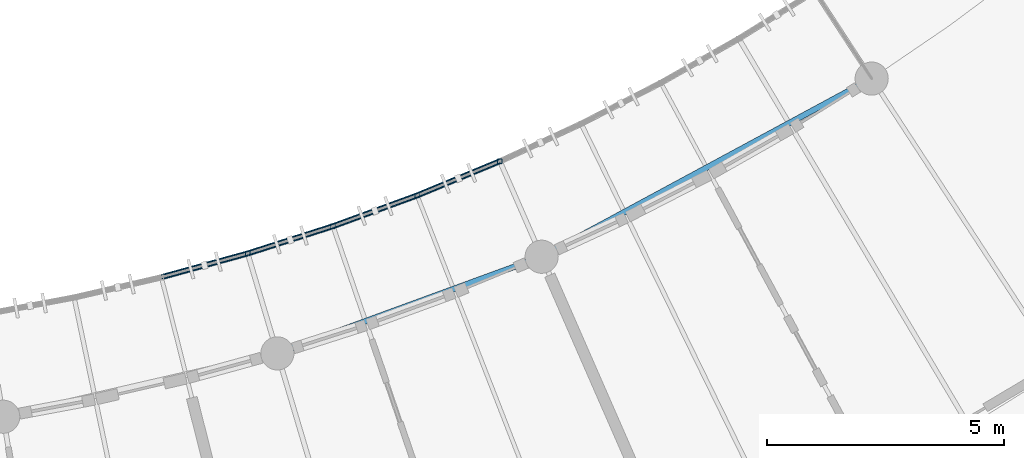
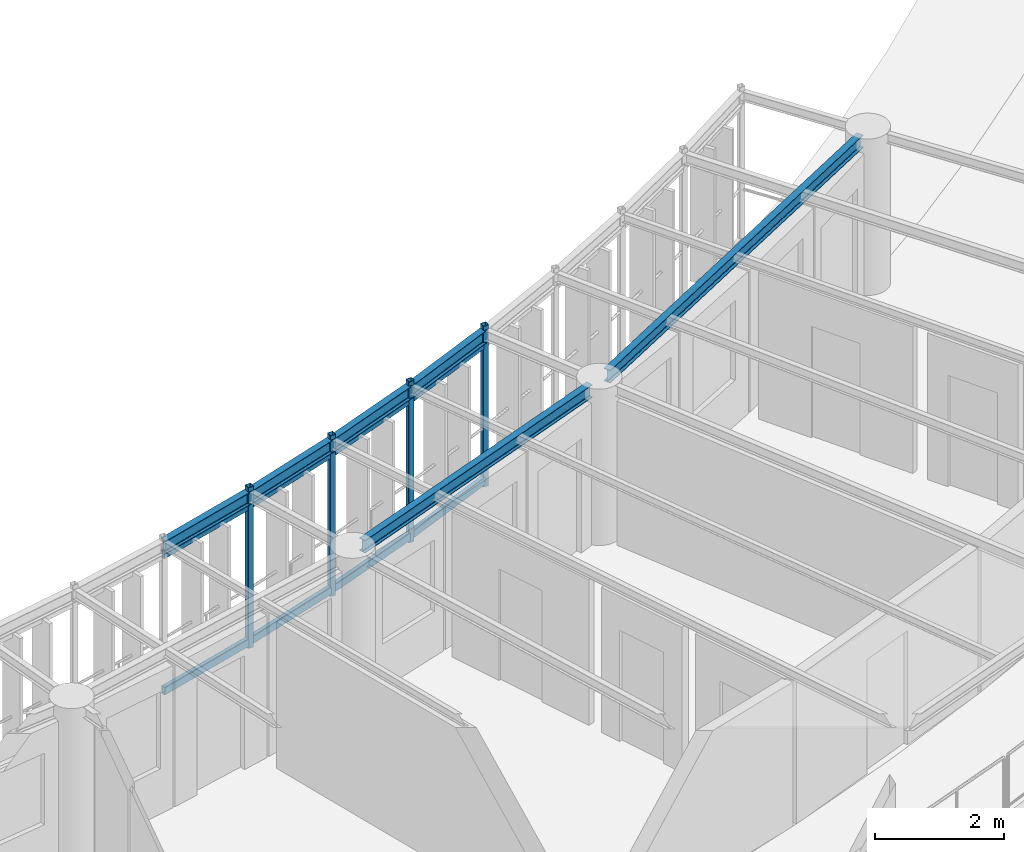
# One storey, part 31 of 137: 12 members, 6 beams.
"""IFC4 building model written with IfcOpenShell, lengths in metres."""

from ifc_helpers import new_model, si_unit, direction, frame, origin, origin_2d, place, context, subcontext, project, spatial, hollow_rectangle, i_section, extrude, material, material_profile, profile_set, type_object, element, save


model = new_model("IFC4")

# Units and contexts
model_context = context("Model", 3, precision=1e-05, world=origin(), true_north=direction((0.0, 1.0)))
body_context = subcontext(model_context, "Body", "Model", "MODEL_VIEW")
ifc_project = project(units=[si_unit("LENGTHUNIT", "METRE"), si_unit("AREAUNIT", "SQUARE_METRE"), si_unit("VOLUMEUNIT", "CUBIC_METRE"), si_unit("PLANEANGLEUNIT", "RADIAN"), si_unit("MASSUNIT", "GRAM", prefix="KILO"), si_unit("POWERUNIT", "WATT"), si_unit("THERMODYNAMICTEMPERATUREUNIT", "KELVIN")], contexts=[model_context])

# Site, building, storey
site_placement = place(None, origin())
site = spatial("IfcSite", under=ifc_project, at=site_placement, CompositionType="ELEMENT")
building_placement = place(site_placement, origin())
building = spatial("IfcBuilding", under=site, at=building_placement, Name="Ruvembo Vaulted Housing Court", CompositionType="ELEMENT")
storey_placement = place(building_placement, frame((0.0, 0.0, 4.5)))
storey = spatial("IfcBuildingStorey", under=building, at=storey_placement, Name="L01", CompositionType="ELEMENT", Elevation=4.5)

# Beams
ifc_material = material(Name="Steel S355J2", Category="steel")
ifc_material_profile_1 = material_profile(ifc_material, i_section(OverallWidth=0.1201171875, OverallDepth=0.239990234375, WebThickness=0.006103515625, FlangeThickness=0.009765625, FilletRadius=0.014892578125, at=origin_2d()), Name="IPE 240")
ifc_profile_set_1 = profile_set([ifc_material_profile_1], Name="Steel S355J2")
beam_type = type_object("IfcBeamType", Name="BM-ST-IPE240", PredefinedType="BEAM", material=ifc_profile_set_1)
beam_1_placement = place(storey_placement, frame((82.88525390625, 16.06640625, 2.822021484375), z_axis=(0.939148809828, 0.343510571888, 0.0), x_axis=(-0.343510571888, 0.939148809828, 0.0)))
element("IfcBeam", 1, at=beam_1_placement, inside=storey, type_object=beam_type, Name="Scoop SC2 L01 Chord Girder F21", PredefinedType="BEAM", context=body_context, shape_type="SweptSolid", body=[
    extrude(i_section(OverallWidth=0.1201171875, OverallDepth=0.239990234375, WebThickness=0.006103515625, FlangeThickness=0.009765625, FilletRadius=0.014892578125, at=origin_2d()), origin(), (0.0, 0.0, 1.0), 5.476806640625),
])
beam_2_placement = place(storey_placement, frame((88.447021484375, 18.135986328125, 2.822021484375), z_axis=(0.879950870287, 0.475064696521, 0.0), x_axis=(-0.475064696521, 0.879950870287, 0.0)))
element("IfcBeam", 2, at=beam_2_placement, inside=storey, type_object=beam_type, Name="Scoop SC2 L01 Chord Girder F24", PredefinedType="BEAM", context=body_context, shape_type="SweptSolid", body=[
    extrude(i_section(OverallWidth=0.1201171875, OverallDepth=0.239990234375, WebThickness=0.006103515625, FlangeThickness=0.009765625, FilletRadius=0.014892578125, at=origin_2d()), origin(), (0.0, 0.0, 1.0), 7.45166015625),
])
beam_3_placement = place(storey_placement, frame((80.220947265625, 17.595703125, 2.820068359375), z_axis=(0.964240073493, 0.26503033915, 0.0), x_axis=(-0.26503033915, 0.964240073493, 0.0)))
element("IfcBeam", 3, at=beam_3_placement, inside=storey, type_object=beam_type, Name="Scoop SC2 L01 Balcony Edge Spandrel 20", PredefinedType="BEAM", context=body_context, shape_type="SweptSolid", body=[
    extrude(i_section(OverallWidth=0.1201171875, OverallDepth=0.239990234375, WebThickness=0.006103515625, FlangeThickness=0.009765625, FilletRadius=0.014892578125, at=origin_2d()), origin(), (0.0, 0.0, 1.0), 1.889404296875),
])
beam_4_placement = place(storey_placement, frame((82.042724609375, 18.096435546875, 2.820068359375), z_axis=(0.952526124364, 0.304456864605, 0.0), x_axis=(-0.304456864605, 0.952526124364, 0.0)))
element("IfcBeam", 4, at=beam_4_placement, inside=storey, type_object=beam_type, Name="Scoop SC2 L01 Balcony Edge Spandrel 21", PredefinedType="BEAM", context=body_context, shape_type="SweptSolid", body=[
    extrude(i_section(OverallWidth=0.1201171875, OverallDepth=0.239990234375, WebThickness=0.006103515625, FlangeThickness=0.009765625, FilletRadius=0.014892578125, at=origin_2d()), origin(), (0.0, 0.0, 1.0), 1.88916015625),
])
beam_5_placement = place(storey_placement, frame((83.84228515625, 18.671630859375, 2.820068359375), z_axis=(0.939165556371, 0.343464783824, 0.0), x_axis=(-0.343464783824, 0.939165556371, 0.0)))
element("IfcBeam", 5, at=beam_5_placement, inside=storey, type_object=beam_type, Name="Scoop SC2 L01 Balcony Edge Spandrel 22", PredefinedType="BEAM", context=body_context, shape_type="SweptSolid", body=[
    extrude(i_section(OverallWidth=0.1201171875, OverallDepth=0.239990234375, WebThickness=0.006103515625, FlangeThickness=0.009765625, FilletRadius=0.014892578125, at=origin_2d()), origin(), (0.0, 0.0, 1.0), 1.889404296875),
])
beam_6_placement = place(storey_placement, frame((85.61669921875, 19.320556640625, 2.820068359375), z_axis=(0.924155321549, 0.38201693896, 0.0), x_axis=(-0.38201693896, 0.924155321549, 0.0)))
element("IfcBeam", 6, at=beam_6_placement, inside=storey, type_object=beam_type, Name="Scoop SC2 L01 Balcony Edge Spandrel 23", PredefinedType="BEAM", context=body_context, shape_type="SweptSolid", body=[
    extrude(i_section(OverallWidth=0.1201171875, OverallDepth=0.239990234375, WebThickness=0.006103515625, FlangeThickness=0.009765625, FilletRadius=0.014892578125, at=origin_2d()), origin(), (0.0, 0.0, 1.0), 1.88916015625),
])

# Members
ifc_material_profile_2 = material_profile(ifc_material, hollow_rectangle(XDim=0.06005859375, YDim=0.1201171875, WallThickness=0.0048828125, InnerFilletRadius=0.0048828125, OuterFilletRadius=0.010009765625, at=origin_2d()), Name="RHS 120x60x5")
ifc_profile_set_2 = profile_set([ifc_material_profile_2], Name="Steel S355J2")
member_type_1 = type_object("IfcMemberType", Name="MEM-CAR-RHS120", PredefinedType="CHORD", material=ifc_profile_set_2)
member_1_placement = place(storey_placement, frame((80.220947265625, 17.595703125, 2.64306640625), z_axis=(0.964240073493, 0.26503033915, 0.0), x_axis=(-0.26503033915, 0.964240073493, 0.0)))
element("IfcMember", 7, at=member_1_placement, inside=storey, type_object=member_type_1, Name="Scoop SC2 L01 Upper Louvre Carrier Rail 20", PredefinedType="CHORD", context=body_context, shape_type="SweptSolid", body=[
    extrude(hollow_rectangle(XDim=0.06005859375, YDim=0.1201171875, WallThickness=0.0048828125, InnerFilletRadius=0.0048828125, OuterFilletRadius=0.010009765625, at=origin_2d()), origin(), (0.0, 0.0, 1.0), 1.889404296875),
])
member_2_placement = place(storey_placement, frame((82.042724609375, 18.096435546875, 2.64306640625), z_axis=(0.952526124364, 0.304456864605, 0.0), x_axis=(-0.304456864605, 0.952526124364, 0.0)))
element("IfcMember", 8, at=member_2_placement, inside=storey, type_object=member_type_1, Name="Scoop SC2 L01 Upper Louvre Carrier Rail 21", PredefinedType="CHORD", context=body_context, shape_type="SweptSolid", body=[
    extrude(hollow_rectangle(XDim=0.06005859375, YDim=0.1201171875, WallThickness=0.0048828125, InnerFilletRadius=0.0048828125, OuterFilletRadius=0.010009765625, at=origin_2d()), origin(), (0.0, 0.0, 1.0), 1.88916015625),
])
member_3_placement = place(storey_placement, frame((83.84228515625, 18.671630859375, 2.64306640625), z_axis=(0.939165556371, 0.343464783824, 0.0), x_axis=(-0.343464783824, 0.939165556371, 0.0)))
element("IfcMember", 9, at=member_3_placement, inside=storey, type_object=member_type_1, Name="Scoop SC2 L01 Upper Louvre Carrier Rail 22", PredefinedType="CHORD", context=body_context, shape_type="SweptSolid", body=[
    extrude(hollow_rectangle(XDim=0.06005859375, YDim=0.1201171875, WallThickness=0.0048828125, InnerFilletRadius=0.0048828125, OuterFilletRadius=0.010009765625, at=origin_2d()), origin(), (0.0, 0.0, 1.0), 1.889404296875),
])
member_4_placement = place(storey_placement, frame((85.61669921875, 19.320556640625, 2.64306640625), z_axis=(0.924155321549, 0.38201693896, 0.0), x_axis=(-0.38201693896, 0.924155321549, 0.0)))
element("IfcMember", 10, at=member_4_placement, inside=storey, type_object=member_type_1, Name="Scoop SC2 L01 Upper Louvre Carrier Rail 23", PredefinedType="CHORD", context=body_context, shape_type="SweptSolid", body=[
    extrude(hollow_rectangle(XDim=0.06005859375, YDim=0.1201171875, WallThickness=0.0048828125, InnerFilletRadius=0.0048828125, OuterFilletRadius=0.010009765625, at=origin_2d()), origin(), (0.0, 0.0, 1.0), 1.88916015625),
])
ifc_material_profile_3 = material_profile(ifc_material, hollow_rectangle(XDim=0.080078125, YDim=0.14990234375, WallThickness=0.00634765625, InnerFilletRadius=0.00634765625, OuterFilletRadius=0.0126953125, at=origin_2d()), Name="RHS 150x80x6.3")
ifc_profile_set_3 = profile_set([ifc_material_profile_3], Name="Steel S355J2")
member_type_2 = type_object("IfcMemberType", Name="MEM-CAR-RHS150", PredefinedType="CHORD", material=ifc_profile_set_3)
member_5_placement = place(storey_placement, frame((80.220947265625, 17.595703125, 0.094970703125), z_axis=(0.964240073493, 0.26503033915, 0.0), x_axis=(-0.26503033915, 0.964240073493, 0.0)))
element("IfcMember", 11, at=member_5_placement, inside=storey, type_object=member_type_2, Name="Scoop SC2 L01 Lower Louvre Carrier Rail 20", PredefinedType="CHORD", context=body_context, shape_type="SweptSolid", body=[
    extrude(hollow_rectangle(XDim=0.080078125, YDim=0.14990234375, WallThickness=0.00634765625, InnerFilletRadius=0.00634765625, OuterFilletRadius=0.0126953125, at=origin_2d()), origin(), (0.0, 0.0, 1.0), 1.889404296875),
])
member_6_placement = place(storey_placement, frame((82.042724609375, 18.096435546875, 0.094970703125), z_axis=(0.952526124364, 0.304456864605, 0.0), x_axis=(-0.304456864605, 0.952526124364, 0.0)))
element("IfcMember", 12, at=member_6_placement, inside=storey, type_object=member_type_2, Name="Scoop SC2 L01 Lower Louvre Carrier Rail 21", PredefinedType="CHORD", context=body_context, shape_type="SweptSolid", body=[
    extrude(hollow_rectangle(XDim=0.080078125, YDim=0.14990234375, WallThickness=0.00634765625, InnerFilletRadius=0.00634765625, OuterFilletRadius=0.0126953125, at=origin_2d()), origin(), (0.0, 0.0, 1.0), 1.88916015625),
])
member_7_placement = place(storey_placement, frame((83.84228515625, 18.671630859375, 0.094970703125), z_axis=(0.939165556371, 0.343464783824, 0.0), x_axis=(-0.343464783824, 0.939165556371, 0.0)))
element("IfcMember", 13, at=member_7_placement, inside=storey, type_object=member_type_2, Name="Scoop SC2 L01 Lower Louvre Carrier Rail 22", PredefinedType="CHORD", context=body_context, shape_type="SweptSolid", body=[
    extrude(hollow_rectangle(XDim=0.080078125, YDim=0.14990234375, WallThickness=0.00634765625, InnerFilletRadius=0.00634765625, OuterFilletRadius=0.0126953125, at=origin_2d()), origin(), (0.0, 0.0, 1.0), 1.889404296875),
])
member_8_placement = place(storey_placement, frame((85.61669921875, 19.320556640625, 0.094970703125), z_axis=(0.924155321549, 0.38201693896, 0.0), x_axis=(-0.38201693896, 0.924155321549, 0.0)))
element("IfcMember", 14, at=member_8_placement, inside=storey, type_object=member_type_2, Name="Scoop SC2 L01 Lower Louvre Carrier Rail 23", PredefinedType="CHORD", context=body_context, shape_type="SweptSolid", body=[
    extrude(hollow_rectangle(XDim=0.080078125, YDim=0.14990234375, WallThickness=0.00634765625, InnerFilletRadius=0.00634765625, OuterFilletRadius=0.0126953125, at=origin_2d()), origin(), (0.0, 0.0, 1.0), 1.88916015625),
])
ifc_material_profile_4 = material_profile(ifc_material, hollow_rectangle(XDim=0.10009765625, YDim=0.10009765625, WallThickness=0.00634765625, InnerFilletRadius=0.00634765625, OuterFilletRadius=0.0126953125, at=origin_2d()), Name="SHS 100x100x6.3")
ifc_profile_set_4 = profile_set([ifc_material_profile_4], Name="Steel S355J2")
member_type_3 = type_object("IfcMemberType", Name="MEM-FRM-SHS100", PredefinedType="STRUT", material=ifc_profile_set_4)
for number, where, z_axis, x_axis, name in (
    (15, (82.042724609375, 18.096435546875, -0.014892578125), (0.0, 0.0, 1.0), (1.0, 0.0, 0.0), "Scoop SC2 L01 Louvre Frame Post 21"),
    (16, (83.84228515625, 18.671630859375, -0.014892578125), (0.0, 0.0, 1.0), (1.0, 0.0, 0.0), "Scoop SC2 L01 Louvre Frame Post 22"),
    (17, (85.61669921875, 19.320556640625, -0.014892578125), (0.0, 0.0, 1.0), (1.0, 0.0, 0.0), "Scoop SC2 L01 Louvre Frame Post 23"),
    (18, (87.362548828125, 20.042236328125, -0.014892578125), (0.0, 0.0, 1.0), (1.0, 0.0, 0.0), "Scoop SC2 L01 Louvre Frame Post 24"),
):
    element("IfcMember", number, at=place(storey_placement, frame(where, z_axis=z_axis, x_axis=x_axis)), inside=storey, type_object=member_type_3, Name=name, PredefinedType="STRUT", context=body_context, shape_type="SweptSolid", body=[
        extrude(hollow_rectangle(XDim=0.10009765625, YDim=0.10009765625, WallThickness=0.00634765625, InnerFilletRadius=0.00634765625, OuterFilletRadius=0.0126953125, at=origin_2d()), origin(), (0.0, 0.0, 1.0), 3.032958984375),
    ])

save(model, "model.ifc")
